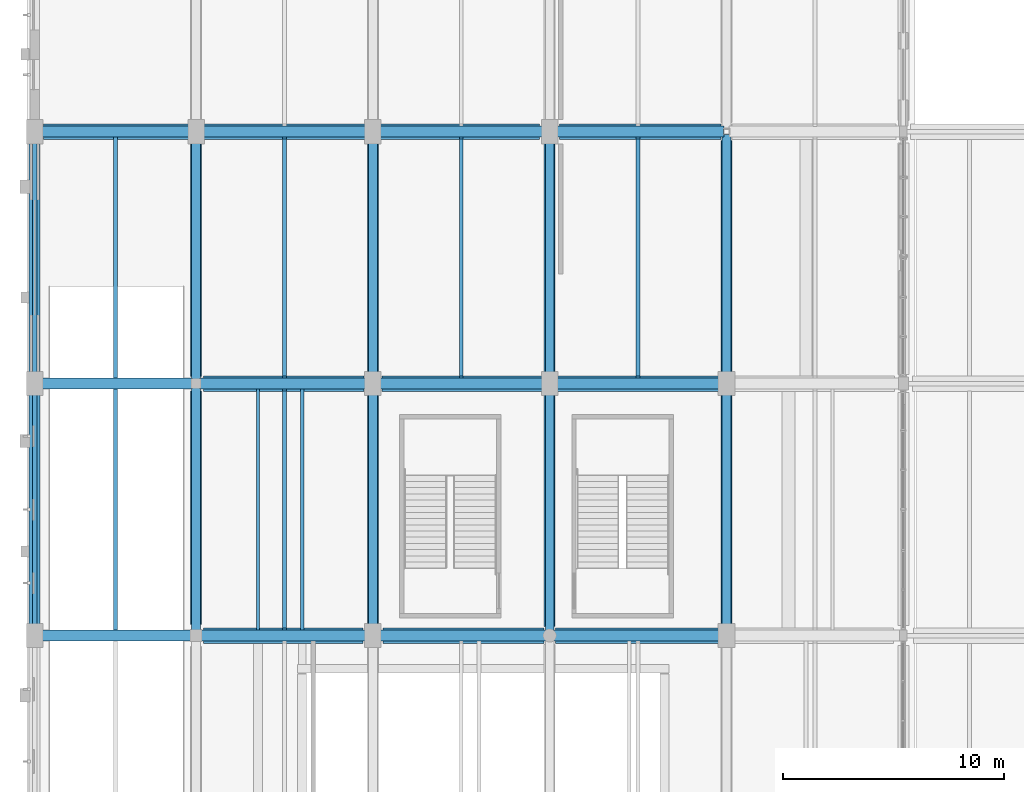
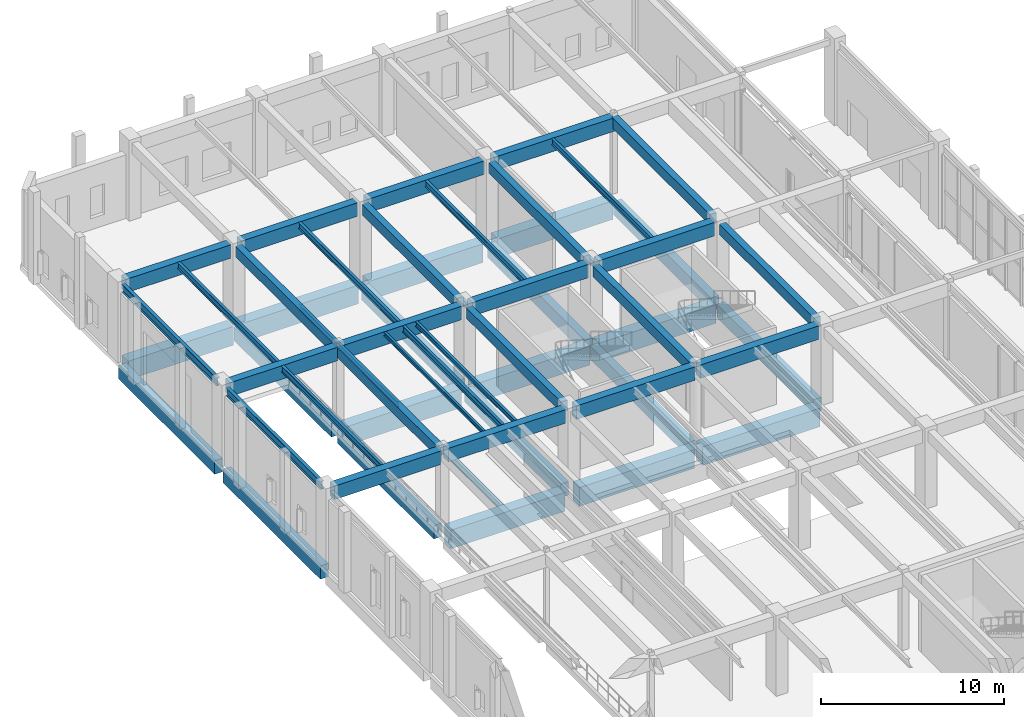
# One storey, part 48 of 113: 54 beams.
"""IFC4 building model written with IfcOpenShell, lengths in metres."""

from ifc_helpers import new_model, si_unit, direction, frame, origin, origin_2d, place, context, subcontext, project, spatial, rectangle, i_section, extrude, material, material_profile, profile_set, type_object, element, save


model = new_model("IFC4")

# Units and contexts
model_context = context("Model", 3, precision=1e-05, world=origin(), true_north=direction((0.0, 1.0)))
body_context = subcontext(model_context, "Body", "Model", "MODEL_VIEW")
ifc_project = project(units=[si_unit("LENGTHUNIT", "METRE"), si_unit("AREAUNIT", "SQUARE_METRE"), si_unit("VOLUMEUNIT", "CUBIC_METRE"), si_unit("PLANEANGLEUNIT", "RADIAN"), si_unit("MASSUNIT", "GRAM", prefix="KILO"), si_unit("POWERUNIT", "WATT"), si_unit("THERMODYNAMICTEMPERATUREUNIT", "KELVIN")], contexts=[model_context])

# Site, building, storey
site_placement = place(None, origin())
site = spatial("IfcSite", under=ifc_project, at=site_placement, CompositionType="ELEMENT")
building_placement = place(site_placement, origin())
building = spatial("IfcBuilding", under=site, at=building_placement, Name="Kelmbourne Parkland Aquatics Centre", CompositionType="ELEMENT")
storey_placement = place(building_placement, origin())
storey = spatial("IfcBuildingStorey", under=building, at=storey_placement, Name="L00", CompositionType="ELEMENT", Elevation=0.0)

# Beams
ifc_material_1 = material(Name="Concrete C40/50", Category="concrete")
ifc_material_profile_1 = material_profile(ifc_material_1, rectangle(XDim=0.5, YDim=0.89990234375, at=origin_2d()), Name="RC 500x900")
ifc_profile_set_1 = profile_set([ifc_material_profile_1], Name="Concrete C40/50")
beam_type_1 = type_object("IfcBeamType", Name="BM-G03", PredefinedType="BEAM", material=ifc_profile_set_1)
beam_1_placement = place(storey_placement, frame((0.699951171875, 69.47998046875, -0.72998046875), z_axis=(0.0, 1.0, 0.0), x_axis=(-1.0, 0.0, 0.0)))
element("IfcBeam", 1, at=beam_1_placement, inside=storey, type_object=beam_type_1, Name="Primary girder 10-11 Grid A (L00)", PredefinedType="BEAM", context=body_context, shape_type="SweptSolid", body=[
    extrude(rectangle(XDim=0.5, YDim=0.89990234375, at=origin_2d()), origin(), (0.0, 0.0, 1.0), 10.6650390625),
])
beam_2_placement = place(storey_placement, frame((0.699951171875, 81.054931640625, -0.72998046875), z_axis=(0.0, 1.0, 0.0), x_axis=(-1.0, 0.0, 0.0)))
element("IfcBeam", 2, at=beam_2_placement, inside=storey, type_object=beam_type_1, Name="Primary girder 11-12 Grid A (L00)", PredefinedType="BEAM", context=body_context, shape_type="SweptSolid", body=[
    extrude(rectangle(XDim=0.5, YDim=0.89990234375, at=origin_2d()), origin(), (0.0, 0.0, 1.0), 10.5400390625),
])
beam_3_placement = place(storey_placement, frame((8.0, 69.705078125, -0.72998046875), z_axis=(0.0, 1.0, 0.0), x_axis=(-1.0, 0.0, 0.0)))
element("IfcBeam", 3, at=beam_3_placement, inside=storey, type_object=beam_type_1, Name="Primary girder 10-11 Grid B (L00)", PredefinedType="BEAM", context=body_context, shape_type="SweptSolid", body=[
    extrude(rectangle(XDim=0.5, YDim=0.89990234375, at=origin_2d()), origin(), (0.0, 0.0, 1.0), 10.56494140625),
])
beam_4_placement = place(storey_placement, frame((8.0, 80.929931640625, -0.72998046875), z_axis=(0.0, 1.0, 0.0), x_axis=(-1.0, 0.0, 0.0)))
element("IfcBeam", 4, at=beam_4_placement, inside=storey, type_object=beam_type_1, Name="Primary girder 11-12 Grid B (L00)", PredefinedType="BEAM", context=body_context, shape_type="SweptSolid", body=[
    extrude(rectangle(XDim=0.5, YDim=0.89990234375, at=origin_2d()), origin(), (0.0, 0.0, 1.0), 10.6650390625),
])
beam_5_placement = place(storey_placement, frame((16.0, 69.655029296875, -0.72998046875), z_axis=(0.0, 1.0, 0.0), x_axis=(-1.0, 0.0, 0.0)))
element("IfcBeam", 5, at=beam_5_placement, inside=storey, type_object=beam_type_1, Name="Primary girder 10-11 Grid C (L00)", PredefinedType="BEAM", context=body_context, shape_type="SweptSolid", body=[
    extrude(rectangle(XDim=0.5, YDim=0.89990234375, at=origin_2d()), origin(), (0.0, 0.0, 1.0), 10.5400390625),
])
beam_6_placement = place(storey_placement, frame((16.0, 81.0048828125, -0.72998046875), z_axis=(0.0, 1.0, 0.0), x_axis=(-1.0, 0.0, 0.0)))
element("IfcBeam", 6, at=beam_6_placement, inside=storey, type_object=beam_type_1, Name="Primary girder 11-12 Grid C (L00)", PredefinedType="BEAM", context=body_context, shape_type="SweptSolid", body=[
    extrude(rectangle(XDim=0.5, YDim=0.89990234375, at=origin_2d()), origin(), (0.0, 0.0, 1.0), 10.490234375),
])
beam_7_placement = place(storey_placement, frame((24.0, 69.60498046875, -0.72998046875), z_axis=(0.0, 1.0, 0.0), x_axis=(-1.0, 0.0, 0.0)))
element("IfcBeam", 7, at=beam_7_placement, inside=storey, type_object=beam_type_1, Name="Primary girder 10-11 Grid D (L00)", PredefinedType="BEAM", context=body_context, shape_type="SweptSolid", body=[
    extrude(rectangle(XDim=0.5, YDim=0.89990234375, at=origin_2d()), origin(), (0.0, 0.0, 1.0), 10.715087890625),
])
beam_8_placement = place(storey_placement, frame((24.0, 80.8798828125, -0.72998046875), z_axis=(0.0, 1.0, 0.0), x_axis=(-1.0, 0.0, 0.0)))
element("IfcBeam", 8, at=beam_8_placement, inside=storey, type_object=beam_type_1, Name="Primary girder 11-12 Grid D (L00)", PredefinedType="BEAM", context=body_context, shape_type="SweptSolid", body=[
    extrude(rectangle(XDim=0.5, YDim=0.89990234375, at=origin_2d()), origin(), (0.0, 0.0, 1.0), 10.6650390625),
])
beam_9_placement = place(storey_placement, frame((32.0, 69.705078125, -0.72998046875), z_axis=(0.0, 1.0, 0.0), x_axis=(-1.0, 0.0, 0.0)))
element("IfcBeam", 9, at=beam_9_placement, inside=storey, type_object=beam_type_1, Name="Primary girder 10-11 Grid E (L00)", PredefinedType="BEAM", context=body_context, shape_type="SweptSolid", body=[
    extrude(rectangle(XDim=0.5, YDim=0.89990234375, at=origin_2d()), origin(), (0.0, 0.0, 1.0), 10.56494140625),
])
beam_10_placement = place(storey_placement, frame((32.0, 80.929931640625, -0.72998046875), z_axis=(0.0, 1.0, 0.0), x_axis=(-1.0, 0.0, 0.0)))
element("IfcBeam", 10, at=beam_10_placement, inside=storey, type_object=beam_type_1, Name="Primary girder 11-12 Grid E (L00)", PredefinedType="BEAM", context=body_context, shape_type="SweptSolid", body=[
    extrude(rectangle(XDim=0.5, YDim=0.89990234375, at=origin_2d()), origin(), (0.0, 0.0, 1.0), 10.6650390625),
])
beam_11_placement = place(storey_placement, frame((1.030029296875, 69.199951171875, 4.7099609375), z_axis=(1.0, 0.0, 0.0), x_axis=(0.0, 1.0, 0.0)))
element("IfcBeam", 11, at=beam_11_placement, inside=storey, type_object=beam_type_1, Name="Primary girder A-B Grid 10 (L01)", PredefinedType="BEAM", context=body_context, shape_type="SweptSolid", body=[
    extrude(rectangle(XDim=0.5, YDim=0.89990234375, at=origin_2d()), origin(), (0.0, 0.0, 1.0), 6.739990234375),
])
beam_12_placement = place(storey_placement, frame((8.22998046875, 69.199951171875, 4.7099609375), z_axis=(1.0, 0.0, 0.0), x_axis=(0.0, 1.0, 0.0)))
element("IfcBeam", 12, at=beam_12_placement, inside=storey, type_object=beam_type_1, Name="Primary girder B-C Grid 10 (L01)", PredefinedType="BEAM", context=body_context, shape_type="SweptSolid", body=[
    extrude(rectangle(XDim=0.5, YDim=0.89990234375, at=origin_2d()), origin(), (0.0, 0.0, 1.0), 7.43994140625),
])
for number, where, z_axis, x_axis, name in (
    (13, (16.330078125, 69.199951171875, 4.7099609375), (1.0, 0.0, 0.0), (0.0, 1.0, 0.0), "Primary girder C-D Grid 10 (L01)"),
    (14, (24.1708984375, 69.199951171875, 4.7099609375), (1.0, 0.0, 0.0), (0.0, 1.0, 0.0), "Primary girder D-E Grid 10 (L01)"),
):
    element("IfcBeam", number, at=place(storey_placement, frame(where, z_axis=z_axis, x_axis=x_axis)), inside=storey, type_object=beam_type_1, Name=name, PredefinedType="BEAM", context=body_context, shape_type="SweptSolid", body=[
        extrude(rectangle(XDim=0.5, YDim=0.89990234375, at=origin_2d()), origin(), (0.0, 0.0, 1.0), 7.4990234375),
    ])
beam_13_placement = place(storey_placement, frame((1.030029296875, 80.60009765625, 4.7099609375), z_axis=(1.0, 0.0, 0.0), x_axis=(0.0, 1.0, 0.0)))
element("IfcBeam", 15, at=beam_13_placement, inside=storey, type_object=beam_type_1, Name="Primary girder A-B Grid 11 (L01)", PredefinedType="BEAM", context=body_context, shape_type="SweptSolid", body=[
    extrude(rectangle(XDim=0.5, YDim=0.89990234375, at=origin_2d()), origin(), (0.0, 0.0, 1.0), 6.7900390625),
])
beam_14_placement = place(storey_placement, frame((8.179931640625, 80.60009765625, 4.7099609375), z_axis=(1.0, 0.0, 0.0), x_axis=(0.0, 1.0, 0.0)))
element("IfcBeam", 16, at=beam_14_placement, inside=storey, type_object=beam_type_1, Name="Primary girder B-C Grid 11 (L01)", PredefinedType="BEAM", context=body_context, shape_type="SweptSolid", body=[
    extrude(rectangle(XDim=0.5, YDim=0.89990234375, at=origin_2d()), origin(), (0.0, 0.0, 1.0), 7.489990234375),
])
for number, where, z_axis, x_axis, name in (
    (17, (16.330078125, 80.60009765625, 4.7099609375), (1.0, 0.0, 0.0), (0.0, 1.0, 0.0), "Primary girder C-D Grid 11 (L01)"),
    (18, (24.330078125, 80.60009765625, 4.7099609375), (1.0, 0.0, 0.0), (0.0, 1.0, 0.0), "Primary girder D-E Grid 11 (L01)"),
):
    element("IfcBeam", number, at=place(storey_placement, frame(where, z_axis=z_axis, x_axis=x_axis)), inside=storey, type_object=beam_type_1, Name=name, PredefinedType="BEAM", context=body_context, shape_type="SweptSolid", body=[
        extrude(rectangle(XDim=0.5, YDim=0.89990234375, at=origin_2d()), origin(), (0.0, 0.0, 1.0), 7.33984375),
    ])
beam_15_placement = place(storey_placement, frame((1.030029296875, 92.0, 4.7099609375), z_axis=(1.0, 0.0, 0.0), x_axis=(0.0, 1.0, 0.0)))
element("IfcBeam", 19, at=beam_15_placement, inside=storey, type_object=beam_type_1, Name="Primary girder A-B Grid 12 (L01)", PredefinedType="BEAM", context=body_context, shape_type="SweptSolid", body=[
    extrude(rectangle(XDim=0.5, YDim=0.89990234375, at=origin_2d()), origin(), (0.0, 0.0, 1.0), 6.639892578125),
])
for number, where, z_axis, x_axis, name in (
    (20, (8.330078125, 92.0, 4.7099609375), (1.0, 0.0, 0.0), (0.0, 1.0, 0.0), "Primary girder B-C Grid 12 (L01)"),
    (21, (16.330078125, 92.0, 4.7099609375), (1.0, 0.0, 0.0), (0.0, 1.0, 0.0), "Primary girder C-D Grid 12 (L01)"),
):
    element("IfcBeam", number, at=place(storey_placement, frame(where, z_axis=z_axis, x_axis=x_axis)), inside=storey, type_object=beam_type_1, Name=name, PredefinedType="BEAM", context=body_context, shape_type="SweptSolid", body=[
        extrude(rectangle(XDim=0.5, YDim=0.89990234375, at=origin_2d()), origin(), (0.0, 0.0, 1.0), 7.33984375),
    ])
beam_16_placement = place(storey_placement, frame((24.330078125, 92.0, 4.7099609375), z_axis=(1.0, 0.0, 0.0), x_axis=(0.0, 1.0, 0.0)))
element("IfcBeam", 22, at=beam_16_placement, inside=storey, type_object=beam_type_1, Name="Primary girder D-E Grid 12 (L01)", PredefinedType="BEAM", context=body_context, shape_type="SweptSolid", body=[
    extrude(rectangle(XDim=0.5, YDim=0.89990234375, at=origin_2d()), origin(), (0.0, 0.0, 1.0), 7.56494140625),
])
ifc_material_profile_2 = material_profile(ifc_material_1, rectangle(XDim=0.39990234375, YDim=0.699951171875, at=origin_2d()), Name="RC 400x700")
ifc_profile_set_2 = profile_set([ifc_material_profile_2], Name="Concrete C40/50")
beam_type_2 = type_object("IfcBeamType", Name="BM-G05", PredefinedType="BEAM", material=ifc_profile_set_2)
beam_17_placement = place(storey_placement, frame((8.0, 69.429931640625, 4.81005859375), z_axis=(0.0, 1.0, 0.0), x_axis=(-1.0, 0.0, 0.0)))
element("IfcBeam", 23, at=beam_17_placement, inside=storey, type_object=beam_type_2, Name="Primary girder 10-11 Grid B (L01)", PredefinedType="BEAM", context=body_context, shape_type="SweptSolid", body=[
    extrude(rectangle(XDim=0.39990234375, YDim=0.699951171875, at=origin_2d()), origin(), (0.0, 0.0, 1.0), 10.989990234375),
])
beam_18_placement = place(storey_placement, frame((8.0, 80.780029296875, 4.81005859375), z_axis=(0.0, 1.0, 0.0), x_axis=(-1.0, 0.0, 0.0)))
element("IfcBeam", 24, at=beam_18_placement, inside=storey, type_object=beam_type_2, Name="Primary girder 11-12 Grid B (L01)", PredefinedType="BEAM", context=body_context, shape_type="SweptSolid", body=[
    extrude(rectangle(XDim=0.39990234375, YDim=0.699951171875, at=origin_2d()), origin(), (0.0, 0.0, 1.0), 10.715087890625),
])
beam_19_placement = place(storey_placement, frame((16.0, 69.705078125, 4.81005859375), z_axis=(0.0, 1.0, 0.0), x_axis=(-1.0, 0.0, 0.0)))
element("IfcBeam", 25, at=beam_19_placement, inside=storey, type_object=beam_type_2, Name="Primary girder 10-11 Grid C (L01)", PredefinedType="BEAM", context=body_context, shape_type="SweptSolid", body=[
    extrude(rectangle(XDim=0.39990234375, YDim=0.699951171875, at=origin_2d()), origin(), (0.0, 0.0, 1.0), 10.389892578125),
])
beam_20_placement = place(storey_placement, frame((16.0, 81.10498046875, 4.81005859375), z_axis=(0.0, 1.0, 0.0), x_axis=(-1.0, 0.0, 0.0)))
element("IfcBeam", 26, at=beam_20_placement, inside=storey, type_object=beam_type_2, Name="Primary girder 11-12 Grid C (L01)", PredefinedType="BEAM", context=body_context, shape_type="SweptSolid", body=[
    extrude(rectangle(XDim=0.39990234375, YDim=0.699951171875, at=origin_2d()), origin(), (0.0, 0.0, 1.0), 10.39013671875),
])
beam_21_placement = place(storey_placement, frame((24.0, 69.37109375, 4.81005859375), z_axis=(0.0, 1.0, 0.0), x_axis=(-1.0, 0.0, 0.0)))
element("IfcBeam", 27, at=beam_21_placement, inside=storey, type_object=beam_type_2, Name="Primary girder 10-11 Grid D (L01)", PredefinedType="BEAM", context=body_context, shape_type="SweptSolid", body=[
    extrude(rectangle(XDim=0.39990234375, YDim=0.699951171875, at=origin_2d()), origin(), (0.0, 0.0, 1.0), 10.723876953125),
])
beam_22_placement = place(storey_placement, frame((24.0, 81.10498046875, 4.81005859375), z_axis=(0.0, 1.0, 0.0), x_axis=(-1.0, 0.0, 0.0)))
element("IfcBeam", 28, at=beam_22_placement, inside=storey, type_object=beam_type_2, Name="Primary girder 11-12 Grid D (L01)", PredefinedType="BEAM", context=body_context, shape_type="SweptSolid", body=[
    extrude(rectangle(XDim=0.39990234375, YDim=0.699951171875, at=origin_2d()), origin(), (0.0, 0.0, 1.0), 10.39013671875),
])
beam_23_placement = place(storey_placement, frame((32.0, 69.705078125, 4.81005859375), z_axis=(0.0, 1.0, 0.0), x_axis=(-1.0, 0.0, 0.0)))
element("IfcBeam", 29, at=beam_23_placement, inside=storey, type_object=beam_type_2, Name="Primary girder 10-11 Grid E (L01)", PredefinedType="BEAM", context=body_context, shape_type="SweptSolid", body=[
    extrude(rectangle(XDim=0.39990234375, YDim=0.699951171875, at=origin_2d()), origin(), (0.0, 0.0, 1.0), 10.389892578125),
])
beam_24_placement = place(storey_placement, frame((32.0, 81.10498046875, 4.81005859375), z_axis=(0.0, 1.0, 0.0), x_axis=(-1.0, 0.0, 0.0)))
element("IfcBeam", 30, at=beam_24_placement, inside=storey, type_object=beam_type_2, Name="Primary girder 11-12 Grid E (L01)", PredefinedType="BEAM", context=body_context, shape_type="SweptSolid", body=[
    extrude(rectangle(XDim=0.39990234375, YDim=0.699951171875, at=origin_2d()), origin(), (0.0, 0.0, 1.0), 10.7900390625),
])
ifc_material_2 = material(Name="Concrete C50/60", Category="concrete")
ifc_material_profile_3 = material_profile(ifc_material_2, rectangle(XDim=0.699951171875, YDim=1.25, at=origin_2d()), Name="RC 700x1250")
ifc_profile_set_3 = profile_set([ifc_material_profile_3], Name="Concrete C50/60")
beam_type_3 = type_object("IfcBeamType", Name="BM-G08", PredefinedType="BEAM", material=ifc_profile_set_3)
beam_25_placement = place(storey_placement, frame((8.330078125, 69.199951171875, -0.905029296875), z_axis=(1.0, 0.0, 0.0), x_axis=(0.0, 1.0, 0.0)))
element("IfcBeam", 31, at=beam_25_placement, inside=storey, type_object=beam_type_3, Name="Primary girder B-C Grid 10 (L00)", PredefinedType="BEAM", context=body_context, shape_type="SweptSolid", body=[
    extrude(rectangle(XDim=0.699951171875, YDim=1.25, at=origin_2d()), origin(), (0.0, 0.0, 1.0), 7.21484375),
])
beam_26_placement = place(storey_placement, frame((16.455078125, 69.199951171875, -0.905029296875), z_axis=(1.0, 0.0, 0.0), x_axis=(0.0, 1.0, 0.0)))
element("IfcBeam", 32, at=beam_26_placement, inside=storey, type_object=beam_type_3, Name="Primary girder C-D Grid 10 (L00)", PredefinedType="BEAM", context=body_context, shape_type="SweptSolid", body=[
    extrude(rectangle(XDim=0.699951171875, YDim=1.25, at=origin_2d()), origin(), (0.0, 0.0, 1.0), 7.2900390625),
])
beam_27_placement = place(storey_placement, frame((24.2548828125, 69.199951171875, -0.905029296875), z_axis=(1.0, 0.0, 0.0), x_axis=(0.0, 1.0, 0.0)))
element("IfcBeam", 33, at=beam_27_placement, inside=storey, type_object=beam_type_3, Name="Primary girder D-E Grid 10 (L00)", PredefinedType="BEAM", context=body_context, shape_type="SweptSolid", body=[
    extrude(rectangle(XDim=0.699951171875, YDim=1.25, at=origin_2d()), origin(), (0.0, 0.0, 1.0), 7.4150390625),
])
beam_28_placement = place(storey_placement, frame((8.330078125, 80.60009765625, -0.905029296875), z_axis=(1.0, 0.0, 0.0), x_axis=(0.0, 1.0, 0.0)))
element("IfcBeam", 34, at=beam_28_placement, inside=storey, type_object=beam_type_3, Name="Primary girder B-C Grid 11 (L00)", PredefinedType="BEAM", context=body_context, shape_type="SweptSolid", body=[
    extrude(rectangle(XDim=0.699951171875, YDim=1.25, at=origin_2d()), origin(), (0.0, 0.0, 1.0), 7.264892578125),
])
beam_29_placement = place(storey_placement, frame((16.405029296875, 80.60009765625, -0.905029296875), z_axis=(1.0, 0.0, 0.0), x_axis=(0.0, 1.0, 0.0)))
element("IfcBeam", 35, at=beam_29_placement, inside=storey, type_object=beam_type_3, Name="Primary girder C-D Grid 11 (L00)", PredefinedType="BEAM", context=body_context, shape_type="SweptSolid", body=[
    extrude(rectangle(XDim=0.699951171875, YDim=1.25, at=origin_2d()), origin(), (0.0, 0.0, 1.0), 7.31494140625),
])
beam_30_placement = place(storey_placement, frame((24.280029296875, 80.60009765625, -0.905029296875), z_axis=(1.0, 0.0, 0.0), x_axis=(0.0, 1.0, 0.0)))
element("IfcBeam", 36, at=beam_30_placement, inside=storey, type_object=beam_type_3, Name="Primary girder D-E Grid 11 (L00)", PredefinedType="BEAM", context=body_context, shape_type="SweptSolid", body=[
    extrude(rectangle(XDim=0.699951171875, YDim=1.25, at=origin_2d()), origin(), (0.0, 0.0, 1.0), 7.389892578125),
])
beam_31_placement = place(storey_placement, frame((1.10498046875, 92.0, -0.905029296875), z_axis=(1.0, 0.0, 0.0), x_axis=(0.0, 1.0, 0.0)))
element("IfcBeam", 37, at=beam_31_placement, inside=storey, type_object=beam_type_3, Name="Primary girder A-B Grid 12 (L00)", PredefinedType="BEAM", context=body_context, shape_type="SweptSolid", body=[
    extrude(rectangle(XDim=0.699951171875, YDim=1.25, at=origin_2d()), origin(), (0.0, 0.0, 1.0), 6.64013671875),
])
beam_32_placement = place(storey_placement, frame((8.2548828125, 92.0, -0.905029296875), z_axis=(1.0, 0.0, 0.0), x_axis=(0.0, 1.0, 0.0)))
element("IfcBeam", 38, at=beam_32_placement, inside=storey, type_object=beam_type_3, Name="Primary girder B-C Grid 12 (L00)", PredefinedType="BEAM", context=body_context, shape_type="SweptSolid", body=[
    extrude(rectangle(XDim=0.699951171875, YDim=1.25, at=origin_2d()), origin(), (0.0, 0.0, 1.0), 7.4150390625),
])
beam_33_placement = place(storey_placement, frame((16.330078125, 92.0, -0.905029296875), z_axis=(1.0, 0.0, 0.0), x_axis=(0.0, 1.0, 0.0)))
element("IfcBeam", 39, at=beam_33_placement, inside=storey, type_object=beam_type_3, Name="Primary girder C-D Grid 12 (L00)", PredefinedType="BEAM", context=body_context, shape_type="SweptSolid", body=[
    extrude(rectangle(XDim=0.699951171875, YDim=1.25, at=origin_2d()), origin(), (0.0, 0.0, 1.0), 7.21484375),
])
beam_34_placement = place(storey_placement, frame((24.455078125, 92.0, -0.905029296875), z_axis=(1.0, 0.0, 0.0), x_axis=(0.0, 1.0, 0.0)))
element("IfcBeam", 40, at=beam_34_placement, inside=storey, type_object=beam_type_3, Name="Primary girder D-E Grid 12 (L00)", PredefinedType="BEAM", context=body_context, shape_type="SweptSolid", body=[
    extrude(rectangle(XDim=0.699951171875, YDim=1.25, at=origin_2d()), origin(), (0.0, 0.0, 1.0), 7.2900390625),
])
ifc_material_3 = material(Name="Structural steel AS/NZS 3679.1 Grade 300", Category="steel")
ifc_material_profile_4 = material_profile(ifc_material_3, i_section(OverallWidth=0.177978515625, OverallDepth=0.406005859375, WebThickness=0.0078125, FlangeThickness=0.0126953125, at=origin_2d()), Name="410UB59.7")
ifc_profile_set_4 = profile_set([ifc_material_profile_4], Name="Structural steel AS/NZS 3679.1 Grade 300")
beam_type_4 = type_object("IfcBeamType", Name="BM-J01", PredefinedType="JOIST", material=ifc_profile_set_4)
for number, where, z_axis, x_axis, name in (
    (41, (12.0, 69.5419921875, -0.48291015625), (0.0, 1.0, 0.0), (-1.0, 0.0, 0.0), "Secondary floor joist B-C/10-11 #1 (L00)"),
    (42, (12.0, 80.94189453125, -0.48291015625), (0.0, 1.0, 0.0), (-1.0, 0.0, 0.0), "Secondary floor joist B-C/11-12 #1 (L00)"),
    (43, (20.0, 80.94189453125, -0.48291015625), (0.0, 1.0, 0.0), (-1.0, 0.0, 0.0), "Secondary floor joist C-D/11-12 #1 (L00)"),
    (44, (28.0, 80.94189453125, -0.48291015625), (0.0, 1.0, 0.0), (-1.0, 0.0, 0.0), "Secondary floor joist D-E/11-12 #1 (L00)"),
):
    element("IfcBeam", number, at=place(storey_placement, frame(where, z_axis=z_axis, x_axis=x_axis)), inside=storey, type_object=beam_type_4, Name=name, PredefinedType="JOIST", context=body_context, shape_type="SweptSolid", body=[
        extrude(i_section(OverallWidth=0.177978515625, OverallDepth=0.406005859375, WebThickness=0.0078125, FlangeThickness=0.0126953125, at=origin_2d()), origin(), (0.0, 0.0, 1.0), 10.716064453125),
    ])
for number, where, z_axis, x_axis, name in (
    (45, (4.35009765625, 69.44189453125, 4.95703125), (0.0, 1.0, 0.0), (-1.0, 0.0, 0.0), "Secondary floor joist A-B/10-11 #1 (L01)"),
    (46, (4.35009765625, 80.842041015625, 4.95703125), (0.0, 1.0, 0.0), (-1.0, 0.0, 0.0), "Secondary floor joist A-B/11-12 #1 (L01)"),
    (47, (12.0, 69.44189453125, 4.95703125), (0.0, 1.0, 0.0), (-1.0, 0.0, 0.0), "Secondary floor joist B-C/10-11 #1 (L01)"),
    (48, (12.0, 80.842041015625, 4.95703125), (0.0, 1.0, 0.0), (-1.0, 0.0, 0.0), "Secondary floor joist B-C/11-12 #1 (L01)"),
    (49, (20.0, 80.842041015625, 4.95703125), (0.0, 1.0, 0.0), (-1.0, 0.0, 0.0), "Secondary floor joist C-D/11-12 #1 (L01)"),
    (50, (28.0, 80.842041015625, 4.95703125), (0.0, 1.0, 0.0), (-1.0, 0.0, 0.0), "Secondary floor joist D-E/11-12 #1 (L01)"),
):
    element("IfcBeam", number, at=place(storey_placement, frame(where, z_axis=z_axis, x_axis=x_axis)), inside=storey, type_object=beam_type_4, Name=name, PredefinedType="JOIST", context=body_context, shape_type="SweptSolid", body=[
        extrude(i_section(OverallWidth=0.177978515625, OverallDepth=0.406005859375, WebThickness=0.0078125, FlangeThickness=0.0126953125, at=origin_2d()), origin(), (0.0, 0.0, 1.0), 10.916015625),
    ])
ifc_material_profile_5 = material_profile(ifc_material_3, i_section(OverallWidth=0.1650390625, OverallDepth=0.303955078125, WebThickness=0.006103515625, FlangeThickness=0.01025390625, at=origin_2d()), Name="310UB40.4")
ifc_profile_set_5 = profile_set([ifc_material_profile_5], Name="Structural steel AS/NZS 3679.1 Grade 300")
beam_type_5 = type_object("IfcBeamType", Name="BM-J05", PredefinedType="JOIST", material=ifc_profile_set_5)
beam_35_placement = place(storey_placement, frame((12.800048828125, 69.44189453125, 5.008056640625), z_axis=(0.0, 1.0, 0.0), x_axis=(-1.0, 0.0, 0.0)))
element("IfcBeam", 51, at=beam_35_placement, inside=storey, type_object=beam_type_5, Name="Deck secondary trim beam 14", PredefinedType="JOIST", context=body_context, shape_type="SweptSolid", body=[
    extrude(i_section(OverallWidth=0.1650390625, OverallDepth=0.303955078125, WebThickness=0.006103515625, FlangeThickness=0.01025390625, at=origin_2d()), origin(), (0.0, 0.0, 1.0), 10.916015625),
])
ifc_material_profile_6 = material_profile(ifc_material_3, i_section(OverallWidth=0.14599609375, OverallDepth=0.256103515625, WebThickness=0.00634765625, FlangeThickness=0.010986328125, at=origin_2d()), Name="250UB37.3")
ifc_profile_set_6 = profile_set([ifc_material_profile_6], Name="Structural steel AS/NZS 3679.1 Grade 300")
beam_type_6 = type_object("IfcBeamType", Name="BM-J06", PredefinedType="JOIST", material=ifc_profile_set_6)
beam_36_placement = place(storey_placement, frame((10.800048828125, 69.44189453125, 5.031982421875), z_axis=(0.0, 1.0, 0.0), x_axis=(-1.0, 0.0, 0.0)))
element("IfcBeam", 52, at=beam_36_placement, inside=storey, type_object=beam_type_6, Name="Deck secondary trim beam 15", PredefinedType="JOIST", context=body_context, shape_type="SweptSolid", body=[
    extrude(i_section(OverallWidth=0.14599609375, OverallDepth=0.256103515625, WebThickness=0.00634765625, FlangeThickness=0.010986328125, at=origin_2d()), origin(), (0.0, 0.0, 1.0), 10.916015625),
])
ifc_material_profile_7 = material_profile(ifc_material_3, i_section(OverallWidth=0.208984375, OverallDepth=0.532958984375, WebThickness=0.01025390625, FlangeThickness=0.015625, at=origin_2d()), Name="530UB92.4")
ifc_profile_set_7 = profile_set([ifc_material_profile_7], Name="Structural steel AS/NZS 3679.1 Grade 300")
beam_type_7 = type_object("IfcBeamType", Name="BM-SP02", PredefinedType="SPANDREL", material=ifc_profile_set_7)
beam_37_placement = place(storey_placement, frame((0.699951171875, 69.705078125, 4.8935546875), z_axis=(0.0, 1.0, 0.0), x_axis=(-1.0, 0.0, 0.0)))
element("IfcBeam", 53, at=beam_37_placement, inside=storey, type_object=beam_type_7, Name="Perimeter spandrel 10-11 Grid A (L01)", PredefinedType="SPANDREL", context=body_context, shape_type="SweptSolid", body=[
    extrude(i_section(OverallWidth=0.208984375, OverallDepth=0.532958984375, WebThickness=0.01025390625, FlangeThickness=0.015625, at=origin_2d()), origin(), (0.0, 0.0, 1.0), 10.389892578125),
])
beam_38_placement = place(storey_placement, frame((0.699951171875, 81.10498046875, 4.8935546875), z_axis=(0.0, 1.0, 0.0), x_axis=(-1.0, 0.0, 0.0)))
element("IfcBeam", 54, at=beam_38_placement, inside=storey, type_object=beam_type_7, Name="Perimeter spandrel 11-12 Grid A (L01)", PredefinedType="SPANDREL", context=body_context, shape_type="SweptSolid", body=[
    extrude(i_section(OverallWidth=0.208984375, OverallDepth=0.532958984375, WebThickness=0.01025390625, FlangeThickness=0.015625, at=origin_2d()), origin(), (0.0, 0.0, 1.0), 10.39013671875),
])

save(model, "model.ifc")
